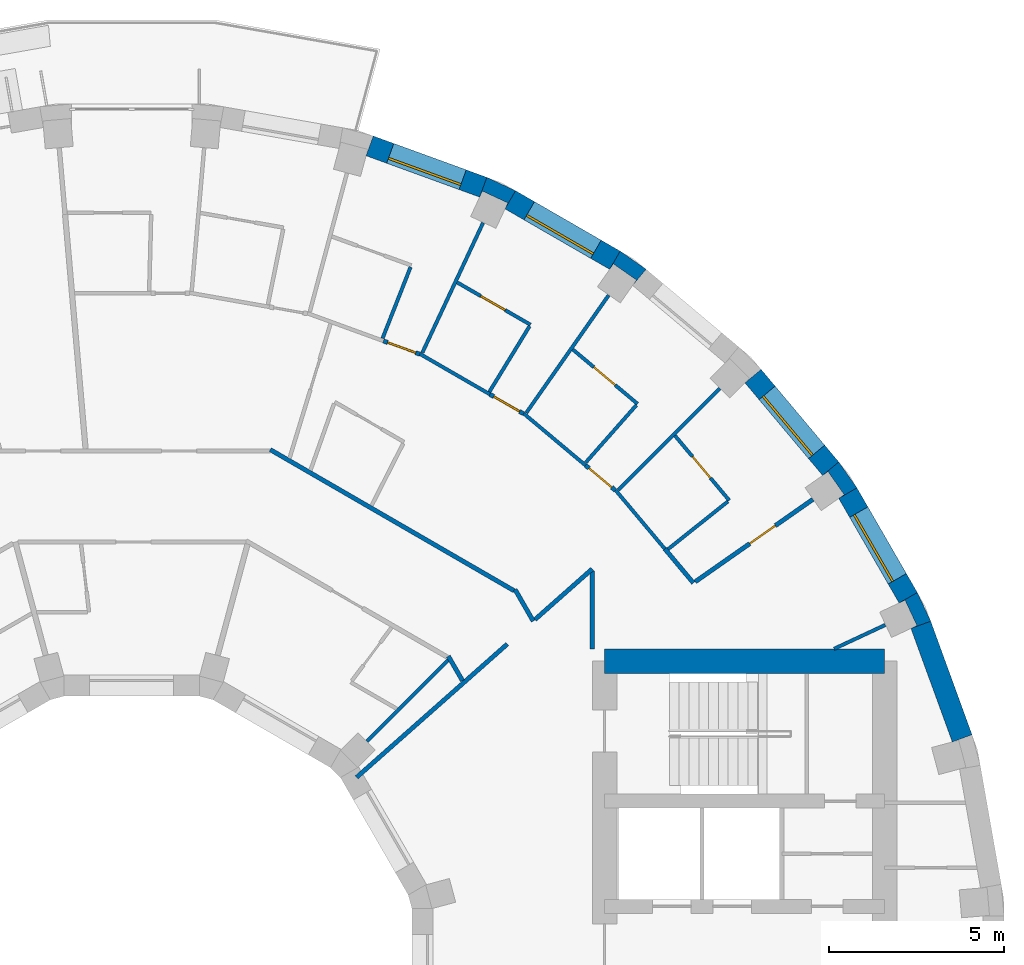
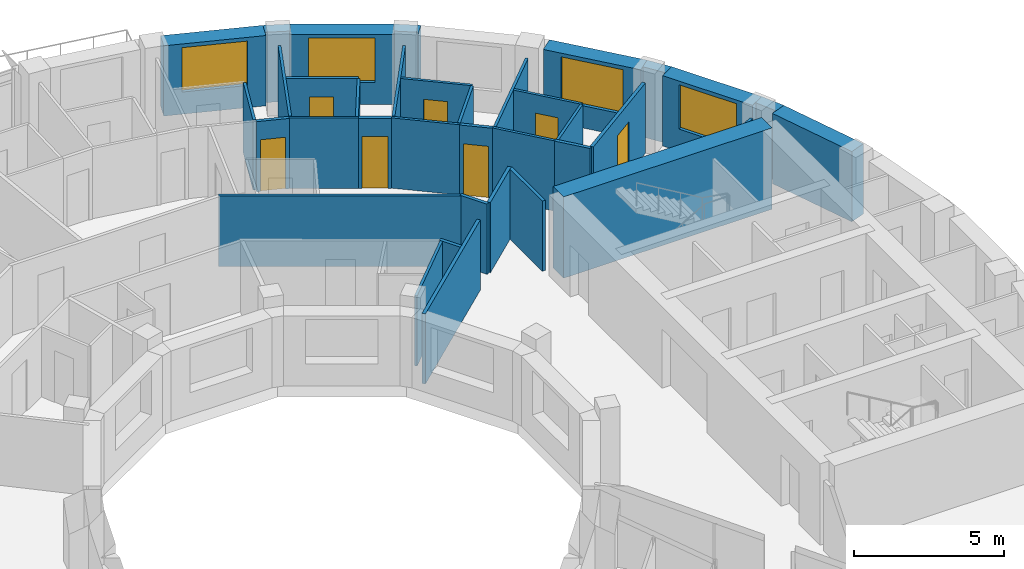
# One storey, part 12 of 14: 36 walls, 7 doors, 4 windows, 11 openings.
"""IFC4 building model written with IfcOpenShell, lengths in metres."""

from ifc_helpers import new_model, si_unit, direction, frame, frame_2d, origin, place, context, subcontext, project, spatial, polyline, rectangle, outline, extrude, material, layer, layer_set, type_object, element, fill, save


model = new_model("IFC4")

# Units and contexts
model_context = context("Model", 3, precision=1e-05, world=origin(), true_north=direction((0.0, 1.0)))
body_context = subcontext(model_context, "Body", "Model", "MODEL_VIEW")
ifc_project = project(units=[si_unit("LENGTHUNIT", "METRE"), si_unit("AREAUNIT", "SQUARE_METRE"), si_unit("VOLUMEUNIT", "CUBIC_METRE"), si_unit("PLANEANGLEUNIT", "RADIAN"), si_unit("MASSUNIT", "GRAM", prefix="KILO")], contexts=[model_context])

# Site, building, storey
site_placement = place(None, origin())
site = spatial("IfcSite", under=ifc_project, at=site_placement, CompositionType="ELEMENT")
building_placement = place(site_placement, origin())
building = spatial("IfcBuilding", under=site, at=building_placement, Name="Saqina Gate Tower", CompositionType="ELEMENT")
storey_placement = place(building_placement, frame((0.0, 0.0, 213.60009765625)))
storey = spatial("IfcBuildingStorey", under=building, at=storey_placement, Name="L61", CompositionType="ELEMENT", Elevation=213.60009765625)

# Walls
ifc_material_1 = material(Name="Brick masonry (buff)", Category="masonry")
wall_type_1 = type_object("IfcWallType", Name="BRICK PIER COPING BUFF", PredefinedType="SOLIDWALL", material=ifc_material_1)
wall_1_placement = place(storey_placement, origin())
element("IfcWall", 1, at=wall_1_placement, inside=storey, type_object=wall_type_1, Name="Pier cap L61 column 3", PredefinedType="SOLIDWALL", context=body_context, shape_type="SweptSolid", body=[
    extrude(outline(polyline([(22.4306640625, 10.958740234375), (21.9111328125, 10.65869140625), (22.080810546875, 10.73779296875), (22.4189453125, 10.0126953125), (22.249267578125, 9.93359375), (22.81298828125, 10.138916015625), (22.4306640625, 10.958740234375)])), origin(), (0.0, 0.0, 1.0), 2.849853515625),
])
wall_2_placement = place(storey_placement, origin())
element("IfcWall", 2, at=wall_2_placement, inside=storey, type_object=wall_type_1, Name="Pier cap L61 column 4", PredefinedType="SOLIDWALL", context=body_context, shape_type="SweptSolid", body=[
    extrude(outline(polyline([(20.705810546875, 13.9462890625), (20.18701171875, 14.687255859375), (19.727294921875, 14.301513671875), (19.880859375, 14.408935546875), (20.339599609375, 13.753662109375), (20.186279296875, 13.646240234375), (20.705810546875, 13.9462890625)])), origin(), (0.0, 0.0, 1.0), 2.849853515625),
])
wall_3_placement = place(storey_placement, origin())
element("IfcWall", 3, at=wall_3_placement, inside=storey, type_object=wall_type_1, Name="Pier cap L61 column 6", PredefinedType="SOLIDWALL", context=body_context, shape_type="SweptSolid", body=[
    extrude(outline(polyline([(14.687255859375, 20.18701171875), (13.9462890625, 20.705810546875), (13.646240234375, 20.186279296875), (13.753662109375, 20.339599609375), (14.408935546875, 19.880859375), (14.301513671875, 19.727294921875), (14.687255859375, 20.18701171875)])), origin(), (0.0, 0.0, 1.0), 2.849853515625),
])
wall_4_placement = place(storey_placement, origin())
element("IfcWall", 4, at=wall_4_placement, inside=storey, type_object=wall_type_1, Name="Pier cap L61 column 7", PredefinedType="SOLIDWALL", context=body_context, shape_type="SweptSolid", body=[
    extrude(outline(polyline([(10.138916015625, 22.81298828125), (9.93359375, 22.249267578125), (10.0126953125, 22.4189453125), (10.73779296875, 22.080810546875), (10.65869140625, 21.9111328125), (10.958740234375, 22.4306640625), (10.138916015625, 22.81298828125)])), origin(), (0.0, 0.0, 1.0), 2.849853515625),
])

# Wall, opening, window
ifc_material_2 = material(Name="Brick masonry (buff)", Category="masonry")
ifc_layer_1 = layer(ifc_material_2, 0.60009765625)
ifc_layer_set_1 = layer_set([ifc_layer_1], Name="FW-BRICK-BUFF")
wall_type_2 = type_object("IfcWallType", Name="FW-BRICK-BUFF", PredefinedType="SOLIDWALL", material=ifc_layer_set_1)
wall_5_placement = place(storey_placement, frame((22.1708984375, 10.80859375, 0.0), z_axis=(0.0, 0.0, 1.0), x_axis=(-0.499998129301, 0.86602648383, 0.0)))
wall_5 = element("IfcWall", 5, at=wall_5_placement, inside=storey, type_object=wall_type_2, Name="Facade wall L61 facet 3", PredefinedType="SOLIDWALL", context=body_context, shape_type="SweptSolid", body=[
    extrude(rectangle(XDim=3.44970703125, YDim=0.60009765625, at=frame_2d((1.724853515625, 0.0))), origin(), (0.0, 0.0, 1.0), 2.849853515625),
])
opening_1_placement = place(wall_5_placement, frame((0.625, 0.0, 0.89990234375)))
opening_1 = element("IfcOpeningElement", 6, at=opening_1_placement, cuts=wall_5, Name="Opening G18-W01", PredefinedType="OPENING", context=body_context, shape_type="SweptSolid", body=[
    extrude(rectangle(XDim=2.199951171875, YDim=1.800048828125, at=frame_2d((1.10009765625, 0.89990234375))), frame((0.0, 0.31201171875, 0.0), z_axis=(0.0, -1.0, 0.0), x_axis=(1.0, 0.0, 0.0)), (0.0, 0.0, 1.0), 0.6240234375),
])
ifc_material_3 = material(Name="Aluminium glazing", Category="aluminium")
window_type = type_object("IfcWindowType", Name="WN-C", PartitioningType="SINGLE_PANEL", PredefinedType="WINDOW", material=ifc_material_3)
window_1_placement = place(opening_1_placement, origin())
window_1 = element("IfcWindow", 7, at=window_1_placement, inside=storey, type_object=window_type, Name="Window L61 facet 3", OverallHeight=1.800048828125, OverallWidth=2.199951171875, PartitioningType="SINGLE_PANEL", PredefinedType="WINDOW", context=body_context, shape_type="SweptSolid", body=[
    extrude(rectangle(XDim=2.199951171875, YDim=1.800048828125, at=frame_2d((1.10009765625, 0.89990234375))), frame((0.0, 0.179931640625, 0.0), z_axis=(0.0, -1.0, 0.0), x_axis=(1.0, 0.0, 0.0)), (0.0, 0.0, 1.0), 0.06005859375),
])
fill(opening_1, window_1)

wall_6_placement = place(storey_placement, frame((19.95703125, 14.494384765625, 0.0), z_axis=(0.0, 0.0, 1.0), x_axis=(-0.642770398358, 0.766058884809, 0.0)))
wall_6 = element("IfcWall", 8, at=wall_6_placement, inside=storey, type_object=wall_type_2, Name="Facade wall L61 facet 4", PredefinedType="SOLIDWALL", context=body_context, shape_type="SweptSolid", body=[
    extrude(rectangle(XDim=3.449462890625, YDim=0.60009765625, at=frame_2d((1.724609375, 0.0))), origin(), (0.0, 0.0, 1.0), 2.849853515625),
])
opening_2_placement = place(wall_6_placement, frame((0.625, 0.0, 0.89990234375)))
opening_2 = element("IfcOpeningElement", 9, at=opening_2_placement, cuts=wall_6, Name="Opening G18-W02", PredefinedType="OPENING", context=body_context, shape_type="SweptSolid", body=[
    extrude(rectangle(XDim=2.199951171875, YDim=1.800048828125, at=frame_2d((1.10009765625, 0.89990234375))), frame((0.0, 0.31201171875, 0.0), z_axis=(0.0, -1.0, 0.0), x_axis=(1.0, 0.0, 0.0)), (0.0, 0.0, 1.0), 0.6240234375),
])
window_2_placement = place(opening_2_placement, origin())
window_2 = element("IfcWindow", 10, at=window_2_placement, inside=storey, type_object=window_type, Name="Window L61 facet 4", OverallHeight=1.800048828125, OverallWidth=2.199951171875, PartitioningType="SINGLE_PANEL", PredefinedType="WINDOW", context=body_context, shape_type="SweptSolid", body=[
    extrude(rectangle(XDim=2.199951171875, YDim=1.800048828125, at=frame_2d((1.10009765625, 0.89990234375))), frame((0.0, 0.179931640625, 0.0), z_axis=(0.0, -1.0, 0.0), x_axis=(1.0, 0.0, 0.0)), (0.0, 0.0, 1.0), 0.06005859375),
])
fill(opening_2, window_2)

wall_7_placement = place(storey_placement, frame((13.796142578125, 20.446044921875, 0.0), z_axis=(0.0, 0.0, 1.0), x_axis=(-0.86602648383, 0.499998129301, 0.0)))
wall_7 = element("IfcWall", 11, at=wall_7_placement, inside=storey, type_object=wall_type_2, Name="Facade wall L61 facet 6", PredefinedType="SOLIDWALL", context=body_context, shape_type="SweptSolid", body=[
    extrude(rectangle(XDim=3.44970703125, YDim=0.60009765625, at=frame_2d((1.724853515625, 0.0))), origin(), (0.0, 0.0, 1.0), 2.849853515625),
])
opening_3_placement = place(wall_7_placement, frame((0.625, 0.0, 0.89990234375)))
opening_3 = element("IfcOpeningElement", 12, at=opening_3_placement, cuts=wall_7, Name="Opening G18-W04", PredefinedType="OPENING", context=body_context, shape_type="SweptSolid", body=[
    extrude(rectangle(XDim=2.199951171875, YDim=1.800048828125, at=frame_2d((1.10009765625, 0.89990234375))), frame((0.0, 0.31201171875, 0.0), z_axis=(0.0, -1.0, 0.0), x_axis=(1.0, 0.0, 0.0)), (0.0, 0.0, 1.0), 0.6240234375),
])
window_3_placement = place(opening_3_placement, origin())
window_3 = element("IfcWindow", 13, at=window_3_placement, inside=storey, type_object=window_type, Name="Window L61 facet 6", OverallHeight=1.800048828125, OverallWidth=2.199951171875, PartitioningType="SINGLE_PANEL", PredefinedType="WINDOW", context=body_context, shape_type="SweptSolid", body=[
    extrude(rectangle(XDim=2.199951171875, YDim=1.800048828125, at=frame_2d((1.10009765625, 0.89990234375))), frame((0.0, 0.179931640625, 0.0), z_axis=(0.0, -1.0, 0.0), x_axis=(1.0, 0.0, 0.0)), (0.0, 0.0, 1.0), 0.06005859375),
])
fill(opening_3, window_3)

wall_8_placement = place(storey_placement, frame((10.0361328125, 22.531005859375, 0.0), z_axis=(0.0, 0.0, 1.0), x_axis=(-0.93968799822, 0.342032843455, 0.0)))
wall_8 = element("IfcWall", 14, at=wall_8_placement, inside=storey, type_object=wall_type_2, Name="Facade wall L61 facet 7", PredefinedType="SOLIDWALL", context=body_context, shape_type="SweptSolid", body=[
    extrude(rectangle(XDim=3.44970703125, YDim=0.60009765625, at=frame_2d((1.724853515625, 0.0))), origin(), (0.0, 0.0, 1.0), 2.849853515625),
])
opening_4_placement = place(wall_8_placement, frame((0.625, 0.0, 0.89990234375)))
opening_4 = element("IfcOpeningElement", 15, at=opening_4_placement, cuts=wall_8, Name="Opening G18-W05", PredefinedType="OPENING", context=body_context, shape_type="SweptSolid", body=[
    extrude(rectangle(XDim=2.199951171875, YDim=1.800048828125, at=frame_2d((1.10009765625, 0.89990234375))), frame((0.0, 0.31201171875, 0.0), z_axis=(0.0, -1.0, 0.0), x_axis=(1.0, 0.0, 0.0)), (0.0, 0.0, 1.0), 0.6240234375),
])
window_4_placement = place(opening_4_placement, origin())
window_4 = element("IfcWindow", 16, at=window_4_placement, inside=storey, type_object=window_type, Name="Window L61 facet 7", OverallHeight=1.800048828125, OverallWidth=2.199951171875, PartitioningType="SINGLE_PANEL", PredefinedType="WINDOW", context=body_context, shape_type="SweptSolid", body=[
    extrude(rectangle(XDim=2.199951171875, YDim=1.800048828125, at=frame_2d((1.10009765625, 0.89990234375))), frame((0.0, 0.179931640625, 0.0), z_axis=(0.0, -1.0, 0.0), x_axis=(1.0, 0.0, 0.0)), (0.0, 0.0, 1.0), 0.06005859375),
])
fill(opening_4, window_4)

# Walls
ifc_material_4 = material(Name="Glazed ceramic tile", Category="ceramic")
ifc_layer_2 = layer(ifc_material_4, 0.60009765625)
ifc_layer_set_2 = layer_set([ifc_layer_2], Name="FW-TILE")
wall_type_3 = type_object("IfcWallType", Name="FW-TILE", PredefinedType="SOLIDWALL", material=ifc_layer_set_2)
wall_9_placement = place(storey_placement, frame((23.7109375, 6.79443359375, 0.0), z_axis=(0.0, 0.0, 1.0), x_axis=(-0.342032843455, 0.93968799822, 0.0)))
element("IfcWall", 17, at=wall_9_placement, inside=storey, type_object=wall_type_3, Name="Facade wall L61 facet 2", PredefinedType="SOLIDWALL", context=body_context, shape_type="SweptSolid", body=[
    extrude(rectangle(XDim=3.44970703125, YDim=0.60009765625, at=frame_2d((1.724853515625, 0.0))), origin(), (0.0, 0.0, 1.0), 2.849853515625),
])
ifc_material_5 = material(Name="Gypsum board on steel studs, 100 mm", Category="steel")
ifc_layer_3 = layer(ifc_material_5, 0.10009765625)
ifc_layer_set_3 = layer_set([ifc_layer_3], Name="PARTITION 100")
wall_type_4 = type_object("IfcWallType", Name="PARTITION 100", PredefinedType="PARTITIONING", material=ifc_layer_set_3)
wall_10_placement = place(storey_placement, frame((13.8115234375, 13.885009765625, 0.0), z_axis=(0.0, 0.0, 1.0), x_axis=(0.642719704672, -0.766101417063, 0.0)))
element("IfcWall", 18, at=wall_10_placement, inside=storey, type_object=wall_type_4, Name="PARTITION PW3-17", PredefinedType="PARTITIONING", context=body_context, shape_type="SweptSolid", body=[
    extrude(rectangle(XDim=2.1943359375, YDim=0.10009765625, at=frame_2d((1.09716796875, 0.0))), origin(), (0.0, 0.0, 1.0), 2.849853515625),
])

# Wall, opening, door
wall_11_placement = place(storey_placement, frame((15.509033203125, 15.438720703125, 0.0), z_axis=(0.0, 0.0, 1.0), x_axis=(0.642786493814, -0.766045379446, 0.0)))
wall_11 = element("IfcWall", 19, at=wall_11_placement, inside=storey, type_object=wall_type_4, Name="PARTITION PW3-18", PredefinedType="PARTITIONING", context=body_context, shape_type="SweptSolid", body=[
    extrude(rectangle(XDim=2.41455078125, YDim=0.10009765625, at=frame_2d((1.207275390625, 0.0))), origin(), (0.0, 0.0, 1.0), 2.849853515625),
])
opening_5_placement = place(wall_11_placement, frame((0.7822265625, 0.0, 0.0)))
opening_5 = element("IfcOpeningElement", 20, at=opening_5_placement, cuts=wall_11, Name="Opening G18-D02", PredefinedType="OPENING", context=body_context, shape_type="SweptSolid", body=[
    extrude(rectangle(XDim=0.800048828125, YDim=2.10009765625, at=frame_2d((0.39990234375, 1.050048828125))), frame((0.0, 0.06201171875, 0.0), z_axis=(0.0, -1.0, 0.0), x_axis=(1.0, 0.0, 0.0)), (0.0, 0.0, 1.0), 0.1240234375),
])
ifc_material_6 = material(Name="Timber door leaf, 800 mm", Category="wood")
door_type_1 = type_object("IfcDoorType", Name="DOOR 800 TIMBER", OperationType="SINGLE_SWING_LEFT", PredefinedType="DOOR", material=ifc_material_6)
door_1_placement = place(opening_5_placement, origin())
door_1 = element("IfcDoor", 21, at=door_1_placement, inside=storey, type_object=door_type_1, Name="DOOR G18-D02", OperationType="SINGLE_SWING_LEFT", OverallHeight=2.10009765625, OverallWidth=0.800048828125, PredefinedType="DOOR", context=body_context, shape_type="SweptSolid", body=[
    extrude(rectangle(XDim=0.800048828125, YDim=2.10009765625, at=frame_2d((0.39990234375, 1.050048828125))), frame((0.0, 0.02490234375, 0.0), z_axis=(0.0, -1.0, 0.0), x_axis=(1.0, 0.0, 0.0)), (0.0, 0.0, 1.0), 0.050048828125),
])
fill(opening_5, door_1)

# Wall
wall_12_placement = place(storey_placement, frame((11.191162109375, 16.070556640625, 0.0), z_axis=(0.0, 0.0, 1.0), x_axis=(0.766099024104, -0.642722556993, 0.0)))
element("IfcWall", 22, at=wall_12_placement, inside=storey, type_object=wall_type_4, Name="PARTITION PW3-23", PredefinedType="PARTITIONING", context=body_context, shape_type="SweptSolid", body=[
    extrude(rectangle(XDim=2.305419921875, YDim=0.10009765625, at=frame_2d((1.15283203125, 0.0))), origin(), (0.0, 0.0, 1.0), 2.849853515625),
])

# Wall, opening, door
wall_13_placement = place(storey_placement, frame((12.59326171875, 17.89794921875, 0.0), z_axis=(0.0, 0.0, 1.0), x_axis=(0.765878189611, -0.642985690882, 0.0)))
wall_13 = element("IfcWall", 23, at=wall_13_placement, inside=storey, type_object=wall_type_4, Name="PARTITION PW3-24", PredefinedType="PARTITIONING", context=body_context, shape_type="SweptSolid", body=[
    extrude(rectangle(XDim=2.413818359375, YDim=0.10009765625, at=frame_2d((1.20703125, 0.0))), origin(), (0.0, 0.0, 1.0), 2.849853515625),
])
opening_6_placement = place(wall_13_placement, frame((0.781982421875, 0.0, 0.0)))
opening_6 = element("IfcOpeningElement", 24, at=opening_6_placement, cuts=wall_13, Name="Opening G18-D04", PredefinedType="OPENING", context=body_context, shape_type="SweptSolid", body=[
    extrude(rectangle(XDim=0.800048828125, YDim=2.10009765625, at=frame_2d((0.39990234375, 1.050048828125))), frame((0.0, 0.06201171875, 0.0), z_axis=(0.0, -1.0, 0.0), x_axis=(1.0, 0.0, 0.0)), (0.0, 0.0, 1.0), 0.1240234375),
])
door_2_placement = place(opening_6_placement, origin())
door_2 = element("IfcDoor", 25, at=door_2_placement, inside=storey, type_object=door_type_1, Name="DOOR G18-D04", OperationType="SINGLE_SWING_LEFT", OverallHeight=2.10009765625, OverallWidth=0.800048828125, PredefinedType="DOOR", context=body_context, shape_type="SweptSolid", body=[
    extrude(rectangle(XDim=0.800048828125, YDim=2.10009765625, at=frame_2d((0.39990234375, 1.050048828125))), frame((0.0, 0.02490234375, 0.0), z_axis=(0.0, -1.0, 0.0), x_axis=(1.0, 0.0, 0.0)), (0.0, 0.0, 1.0), 0.050048828125),
])
fill(opening_6, door_2)

# Wall
wall_14_placement = place(storey_placement, frame((8.23095703125, 17.7705078125, 0.0), z_axis=(0.0, 0.0, 1.0), x_axis=(0.865906868937, -0.5002052522, 0.0)))
element("IfcWall", 26, at=wall_14_placement, inside=storey, type_object=wall_type_4, Name="PARTITION PW3-31", PredefinedType="PARTITIONING", context=body_context, shape_type="SweptSolid", body=[
    extrude(rectangle(XDim=2.30517578125, YDim=0.10009765625, at=frame_2d((1.152587890625, 0.0))), origin(), (0.0, 0.0, 1.0), 2.849853515625),
])

# Wall, opening, door
wall_15_placement = place(storey_placement, frame((9.293212890625, 19.81201171875, 0.0), z_axis=(0.0, 0.0, 1.0), x_axis=(0.866145191815, -0.499792463624, 0.0)))
wall_15 = element("IfcWall", 27, at=wall_15_placement, inside=storey, type_object=wall_type_4, Name="PARTITION PW3-32", PredefinedType="PARTITIONING", context=body_context, shape_type="SweptSolid", body=[
    extrude(rectangle(XDim=2.4150390625, YDim=0.10009765625, at=frame_2d((1.20751953125, 0.0))), origin(), (0.0, 0.0, 1.0), 2.849853515625),
])
opening_7_placement = place(wall_15_placement, frame((0.782470703125, 0.0, 0.0)))
opening_7 = element("IfcOpeningElement", 28, at=opening_7_placement, cuts=wall_15, Name="Opening G18-D08", PredefinedType="OPENING", context=body_context, shape_type="SweptSolid", body=[
    extrude(rectangle(XDim=0.800048828125, YDim=2.10009765625, at=frame_2d((0.39990234375, 1.050048828125))), frame((0.0, 0.06201171875, 0.0), z_axis=(0.0, -1.0, 0.0), x_axis=(1.0, 0.0, 0.0)), (0.0, 0.0, 1.0), 0.1240234375),
])
door_3_placement = place(opening_7_placement, origin())
door_3 = element("IfcDoor", 29, at=door_3_placement, inside=storey, type_object=door_type_1, Name="DOOR G18-D08", OperationType="SINGLE_SWING_LEFT", OverallHeight=2.10009765625, OverallWidth=0.800048828125, PredefinedType="DOOR", context=body_context, shape_type="SweptSolid", body=[
    extrude(rectangle(XDim=0.800048828125, YDim=2.10009765625, at=frame_2d((0.39990234375, 1.050048828125))), frame((0.0, 0.02490234375, 0.0), z_axis=(0.0, -1.0, 0.0), x_axis=(1.0, 0.0, 0.0)), (0.0, 0.0, 1.0), 0.050048828125),
])
fill(opening_7, door_3)

# Walls
wall_16_placement = place(storey_placement, frame((20.052978515625, 9.35009765625, 0.0), z_axis=(0.0, 0.0, 1.0), x_axis=(0.906055596822, 0.423158664648, 0.0)))
element("IfcWall", 30, at=wall_16_placement, inside=storey, type_object=wall_type_4, Name="PARTITION PW3-53", PredefinedType="PARTITIONING", context=body_context, shape_type="SweptSolid", body=[
    extrude(rectangle(XDim=1.6142578125, YDim=0.10009765625, at=frame_2d((0.80712890625, 0.0))), origin(), (0.0, 0.0, 1.0), 2.849853515625),
])
wall_17_placement = place(storey_placement, frame((15.31103515625, 12.195068359375, 0.0), z_axis=(0.0, 0.0, 1.0), x_axis=(0.782195530376, 0.623033026621, 0.0)))
element("IfcWall", 31, at=wall_17_placement, inside=storey, type_object=wall_type_4, Name="PARTITION PW3-62", PredefinedType="PARTITIONING", context=body_context, shape_type="SweptSolid", body=[
    extrude(rectangle(XDim=2.187255859375, YDim=0.10009765625, at=frame_2d((1.09375, 0.0))), origin(), (0.0, 0.0, 1.0), 2.849853515625),
])
wall_18_placement = place(storey_placement, frame((6.7119140625, 6.7119140625, 0.0), z_axis=(0.0, 0.0, 1.0), x_axis=(0.707106781187, 0.707106781187, 0.0)))
element("IfcWall", 32, at=wall_18_placement, inside=storey, type_object=wall_type_4, Name="PARTITION PW3-66", PredefinedType="PARTITIONING", context=body_context, shape_type="SweptSolid", body=[
    extrude(rectangle(XDim=3.2822265625, YDim=0.10009765625, at=frame_2d((1.64111328125, 0.0))), origin(), (0.0, 0.0, 1.0), 2.849853515625),
])
wall_19_placement = place(storey_placement, frame((13.88916015625, 13.88916015625, 0.0), z_axis=(0.0, 0.0, 1.0), x_axis=(0.707106781187, 0.707106781187, 0.0)))
element("IfcWall", 33, at=wall_19_placement, inside=storey, type_object=wall_type_4, Name="PARTITION PW3-67", PredefinedType="PARTITIONING", context=body_context, shape_type="SweptSolid", body=[
    extrude(rectangle(XDim=4.09765625, YDim=0.10009765625, at=frame_2d((2.048828125, 0.0))), origin(), (0.0, 0.0, 1.0), 2.849853515625),
])
wall_20_placement = place(storey_placement, frame((12.96044921875, 14.66796875, 0.0), z_axis=(0.0, 0.0, 1.0), x_axis=(0.661846667472, 0.749639239072, 0.0)))
element("IfcWall", 34, at=wall_20_placement, inside=storey, type_object=wall_type_4, Name="PARTITION PW3-68", PredefinedType="PARTITIONING", context=body_context, shape_type="SweptSolid", body=[
    extrude(rectangle(XDim=2.1884765625, YDim=0.10009765625, at=frame_2d((1.09423828125, 0.0))), origin(), (0.0, 0.0, 1.0), 2.849853515625),
])
wall_21_placement = place(storey_placement, frame((11.265869140625, 16.089111328125, 0.0), z_axis=(0.0, 0.0, 1.0), x_axis=(0.573606249772, 0.819131167898, 0.0)))
element("IfcWall", 35, at=wall_21_placement, inside=storey, type_object=wall_type_4, Name="PARTITION PW3-73", PredefinedType="PARTITIONING", context=body_context, shape_type="SweptSolid", body=[
    extrude(rectangle(XDim=4.098876953125, YDim=0.10009765625, at=frame_2d((2.04931640625, 0.0))), origin(), (0.0, 0.0, 1.0), 2.849853515625),
])
wall_22_placement = place(storey_placement, frame((10.210205078125, 16.685546875, 0.0), z_axis=(0.0, 0.0, 1.0), x_axis=(0.522046798857, 0.852916842256, 0.0)))
element("IfcWall", 36, at=wall_22_placement, inside=storey, type_object=wall_type_4, Name="PARTITION PW3-76", PredefinedType="PARTITIONING", context=body_context, shape_type="SweptSolid", body=[
    extrude(rectangle(XDim=2.200439453125, YDim=0.10009765625, at=frame_2d((1.10009765625, 0.0))), origin(), (0.0, 0.0, 1.0), 2.849853515625),
])
wall_23_placement = place(storey_placement, frame((8.296875, 17.8037109375, 0.0), z_axis=(0.0, 0.0, 1.0), x_axis=(0.423514808753, 0.90588918018, 0.0)))
element("IfcWall", 37, at=wall_23_placement, inside=storey, type_object=wall_type_4, Name="PARTITION PW3-80", PredefinedType="PARTITIONING", context=body_context, shape_type="SweptSolid", body=[
    extrude(rectangle(XDim=4.09814453125, YDim=0.10009765625, at=frame_2d((2.049072265625, 0.0))), origin(), (0.0, 0.0, 1.0), 2.849853515625),
])
wall_24_placement = place(storey_placement, frame((7.161865234375, 18.216064453125, 0.0), z_axis=(0.0, 0.0, 1.0), x_axis=(0.365959579046, 0.930630746593, 0.0)))
element("IfcWall", 38, at=wall_24_placement, inside=storey, type_object=wall_type_4, Name="PARTITION PW3-83", PredefinedType="PARTITIONING", context=body_context, shape_type="SweptSolid", body=[
    extrude(rectangle(XDim=2.188232421875, YDim=0.10009765625, at=frame_2d((1.09423828125, 0.0))), origin(), (0.0, 0.0, 1.0), 2.849853515625),
])
ifc_material_7 = material(Name="Gypsum board on steel studs, 125 mm, fire rated", Category="steel")
ifc_layer_4 = layer(ifc_material_7, 0.125)
ifc_layer_set_4 = layer_set([ifc_layer_4], Name="PARTITION EI 30 125")
wall_type_5 = type_object("IfcWallType", Name="PARTITION EI 30 125", PredefinedType="PARTITIONING", material=ifc_layer_set_4)
wall_25_placement = place(storey_placement, frame((10.945556640625, 11.04443359375, 0.0), z_axis=(0.0, 0.0, 1.0), x_axis=(0.49896979131, -0.866619378597, 0.0)))
element("IfcWall", 39, at=wall_25_placement, inside=storey, type_object=wall_type_5, Name="PARTITION PW1-05", PredefinedType="PARTITIONING", context=body_context, shape_type="SweptSolid", body=[
    extrude(rectangle(XDim=1.039306640625, YDim=0.125, at=frame_2d((0.51953125, 0.0))), origin(), (0.0, 0.0, 1.0), 2.849853515625),
])
wall_26_placement = place(storey_placement, frame((9.041015625, 9.139404296875, 0.0), z_axis=(0.0, 0.0, 1.0), x_axis=(0.500488808838, -0.865743005879, 0.0)))
element("IfcWall", 40, at=wall_26_placement, inside=storey, type_object=wall_type_5, Name="PARTITION PW1-07", PredefinedType="PARTITIONING", context=body_context, shape_type="SweptSolid", body=[
    extrude(rectangle(XDim=0.808837890625, YDim=0.125, at=frame_2d((0.404296875, 0.0))), origin(), (0.0, 0.0, 1.0), 2.849853515625),
])
wall_27_placement = place(storey_placement, frame((15.222412109375, 12.204345703125, 0.0), z_axis=(0.0, 0.0, 1.0), x_axis=(0.641754990355, -0.766909728948, 0.0)))
element("IfcWall", 41, at=wall_27_placement, inside=storey, type_object=wall_type_5, Name="PARTITION PW1-09", PredefinedType="PARTITIONING", context=body_context, shape_type="SweptSolid", body=[
    extrude(rectangle(XDim=1.26806640625, YDim=0.125, at=frame_2d((0.634033203125, 0.0))), origin(), (0.0, 0.0, 1.0), 2.849853515625),
])

# Wall, opening, door
wall_28_placement = place(storey_placement, frame((12.957275390625, 14.5888671875, 0.0), z_axis=(0.0, 0.0, 1.0), x_axis=(0.766464721633, -0.642286408459, 0.0)))
wall_28 = element("IfcWall", 42, at=wall_28_placement, inside=storey, type_object=wall_type_5, Name="PARTITION PW1-16", PredefinedType="PARTITIONING", context=body_context, shape_type="SweptSolid", body=[
    extrude(rectangle(XDim=1.10693359375, YDim=0.125, at=frame_2d((0.553466796875, 0.0))), origin(), (0.0, 0.0, 1.0), 2.849853515625),
])
opening_8_placement = place(wall_28_placement, frame((0.12841796875, 0.0, 0.0)))
opening_8 = element("IfcOpeningElement", 43, at=opening_8_placement, cuts=wall_28, Name="Opening G18-D03", PredefinedType="OPENING", context=body_context, shape_type="SweptSolid", body=[
    extrude(rectangle(XDim=0.85009765625, YDim=2.10009765625, at=frame_2d((0.425048828125, 1.050048828125))), frame((0.0, 0.074462890625, 0.0), z_axis=(0.0, -1.0, 0.0), x_axis=(1.0, 0.0, 0.0)), (0.0, 0.0, 1.0), 0.14892578125),
])
ifc_material_8 = material(Name="Fire door leaf EI 30, 850 mm")
door_type_2 = type_object("IfcDoorType", Name="DOOR 850 EI 30", OperationType="SINGLE_SWING_LEFT", PredefinedType="DOOR", material=ifc_material_8)
door_4_placement = place(opening_8_placement, frame((0.85009765625, 0.0, 0.0), z_axis=(0.0, 0.0, 1.0), x_axis=(-1.0, 0.0, 0.0)))
door_4 = element("IfcDoor", 44, at=door_4_placement, inside=storey, type_object=door_type_2, Name="DOOR G18-D03", OperationType="SINGLE_SWING_LEFT", OverallHeight=2.10009765625, OverallWidth=0.85009765625, PredefinedType="DOOR", context=body_context, shape_type="SweptSolid", body=[
    extrude(rectangle(XDim=0.85009765625, YDim=2.10009765625, at=frame_2d((0.425048828125, 1.050048828125))), frame((0.0, 0.02490234375, 0.0), z_axis=(0.0, -1.0, 0.0), x_axis=(1.0, 0.0, 0.0)), (0.0, 0.0, 1.0), 0.050048828125),
])
fill(opening_8, door_4)

# Wall
wall_29_placement = place(storey_placement, frame((3.95654296875, 15.037353515625, 0.0), z_axis=(0.0, 0.0, 1.0), x_axis=(0.865555702761, -0.500812664994, 0.0)))
element("IfcWall", 45, at=wall_29_placement, inside=storey, type_object=wall_type_5, Name="PARTITION PW1-19", PredefinedType="PARTITIONING", context=body_context, shape_type="SweptSolid", body=[
    extrude(rectangle(XDim=8.048828125, YDim=0.125, at=frame_2d((4.0244140625, 0.0))), origin(), (0.0, 0.0, 1.0), 2.849853515625),
])

# Wall, opening, door
wall_30_placement = place(storey_placement, frame((10.22705078125, 16.617431640625, 0.0), z_axis=(0.0, 0.0, 1.0), x_axis=(0.865888396158, -0.500237229121, 0.0)))
wall_30 = element("IfcWall", 46, at=wall_30_placement, inside=storey, type_object=wall_type_5, Name="PARTITION PW1-22", PredefinedType="PARTITIONING", context=body_context, shape_type="SweptSolid", body=[
    extrude(rectangle(XDim=1.1083984375, YDim=0.125, at=frame_2d((0.55419921875, 0.0))), origin(), (0.0, 0.0, 1.0), 2.849853515625),
])
opening_9_placement = place(wall_30_placement, frame((0.129150390625, 0.0, 0.0)))
opening_9 = element("IfcOpeningElement", 47, at=opening_9_placement, cuts=wall_30, Name="Opening G18-D06", PredefinedType="OPENING", context=body_context, shape_type="SweptSolid", body=[
    extrude(rectangle(XDim=0.85009765625, YDim=2.10009765625, at=frame_2d((0.425048828125, 1.050048828125))), frame((0.0, 0.074462890625, 0.0), z_axis=(0.0, -1.0, 0.0), x_axis=(1.0, 0.0, 0.0)), (0.0, 0.0, 1.0), 0.14892578125),
])
door_5_placement = place(opening_9_placement, frame((0.85009765625, 0.0, 0.0), z_axis=(0.0, 0.0, 1.0), x_axis=(-1.0, 0.0, 0.0)))
door_5 = element("IfcDoor", 48, at=door_5_placement, inside=storey, type_object=door_type_2, Name="DOOR G18-D06", OperationType="SINGLE_SWING_LEFT", OverallHeight=2.10009765625, OverallWidth=0.85009765625, PredefinedType="DOOR", context=body_context, shape_type="SweptSolid", body=[
    extrude(rectangle(XDim=0.85009765625, YDim=2.10009765625, at=frame_2d((0.425048828125, 1.050048828125))), frame((0.0, 0.02490234375, 0.0), z_axis=(0.0, -1.0, 0.0), x_axis=(1.0, 0.0, 0.0)), (0.0, 0.0, 1.0), 0.050048828125),
])
fill(opening_9, door_5)

wall_31_placement = place(storey_placement, frame((7.18603515625, 18.140869140625, 0.0), z_axis=(0.0, 0.0, 1.0), x_axis=(0.939793423488, -0.341743063087, 0.0)))
wall_31 = element("IfcWall", 49, at=wall_31_placement, inside=storey, type_object=wall_type_5, Name="PARTITION PW1-24", PredefinedType="PARTITIONING", context=body_context, shape_type="SweptSolid", body=[
    extrude(rectangle(XDim=1.108642578125, YDim=0.125, at=frame_2d((0.55419921875, 0.0))), origin(), (0.0, 0.0, 1.0), 2.849853515625),
])
opening_10_placement = place(wall_31_placement, frame((0.12939453125, 0.0, 0.0)))
opening_10 = element("IfcOpeningElement", 50, at=opening_10_placement, cuts=wall_31, Name="Opening G18-D10", PredefinedType="OPENING", context=body_context, shape_type="SweptSolid", body=[
    extrude(rectangle(XDim=0.85009765625, YDim=2.10009765625, at=frame_2d((0.425048828125, 1.050048828125))), frame((0.0, 0.074462890625, 0.0), z_axis=(0.0, -1.0, 0.0), x_axis=(1.0, 0.0, 0.0)), (0.0, 0.0, 1.0), 0.14892578125),
])
door_6_placement = place(opening_10_placement, frame((0.85009765625, 0.0, 0.0), z_axis=(0.0, 0.0, 1.0), x_axis=(-1.0, 0.0, 0.0)))
door_6 = element("IfcDoor", 51, at=door_6_placement, inside=storey, type_object=door_type_2, Name="DOOR G18-D10", OperationType="SINGLE_SWING_LEFT", OverallHeight=2.10009765625, OverallWidth=0.85009765625, PredefinedType="DOOR", context=body_context, shape_type="SweptSolid", body=[
    extrude(rectangle(XDim=0.85009765625, YDim=2.10009765625, at=frame_2d((0.425048828125, 1.050048828125))), frame((0.0, 0.02490234375, 0.0), z_axis=(0.0, -1.0, 0.0), x_axis=(1.0, 0.0, 0.0)), (0.0, 0.0, 1.0), 0.050048828125),
])
fill(opening_10, door_6)

wall_32_placement = place(storey_placement, frame((16.089111328125, 11.265869140625, 0.0), z_axis=(0.0, 0.0, 1.0), x_axis=(0.819131167898, 0.573606249772, 0.0)))
wall_32 = element("IfcWall", 52, at=wall_32_placement, inside=storey, type_object=wall_type_5, Name="PARTITION PW1-40", PredefinedType="PARTITIONING", context=body_context, shape_type="SweptSolid", body=[
    extrude(rectangle(XDim=4.098876953125, YDim=0.125, at=frame_2d((2.04931640625, 0.0))), origin(), (0.0, 0.0, 1.0), 2.849853515625),
])
opening_11_placement = place(wall_32_placement, frame((1.8974609375, 0.0, 0.0)))
opening_11 = element("IfcOpeningElement", 53, at=opening_11_placement, cuts=wall_32, Name="Opening G18-D01", PredefinedType="OPENING", context=body_context, shape_type="SweptSolid", body=[
    extrude(rectangle(XDim=0.89990234375, YDim=2.10009765625, at=frame_2d((0.449951171875, 1.050048828125))), frame((0.0, 0.074462890625, 0.0), z_axis=(0.0, -1.0, 0.0), x_axis=(1.0, 0.0, 0.0)), (0.0, 0.0, 1.0), 0.14892578125),
])
ifc_material_9 = material(Name="Fire door leaf EI 30, 900 mm")
door_type_3 = type_object("IfcDoorType", Name="DOOR 900 EI 30", OperationType="SINGLE_SWING_LEFT", PredefinedType="DOOR", material=ifc_material_9)
door_7_placement = place(opening_11_placement, frame((0.89990234375, 0.0, 0.0), z_axis=(0.0, 0.0, 1.0), x_axis=(-1.0, 0.0, 0.0)))
door_7 = element("IfcDoor", 54, at=door_7_placement, inside=storey, type_object=door_type_3, Name="DOOR G18-D01", OperationType="SINGLE_SWING_LEFT", OverallHeight=2.10009765625, OverallWidth=0.89990234375, PredefinedType="DOOR", context=body_context, shape_type="SweptSolid", body=[
    extrude(rectangle(XDim=0.89990234375, YDim=2.10009765625, at=frame_2d((0.449951171875, 1.050048828125))), frame((0.0, 0.02490234375, 0.0), z_axis=(0.0, -1.0, 0.0), x_axis=(1.0, 0.0, 0.0)), (0.0, 0.0, 1.0), 0.050048828125),
])
fill(opening_11, door_7)

# Walls
wall_33_placement = place(storey_placement, frame((6.419921875, 5.679931640625, 0.0), z_axis=(0.0, 0.0, 1.0), x_axis=(0.74898196967, 0.662590378068, 0.0)))
element("IfcWall", 55, at=wall_33_placement, inside=storey, type_object=wall_type_5, Name="PARTITION PW1-44", PredefinedType="PARTITIONING", context=body_context, shape_type="SweptSolid", body=[
    extrude(rectangle(XDim=5.748046875, YDim=0.125, at=frame_2d((2.8740234375, 0.0))), origin(), (0.0, 0.0, 1.0), 2.849853515625),
])
wall_34_placement = place(storey_placement, frame((11.51171875, 10.184326171875, 0.0), z_axis=(0.0, 0.0, 1.0), x_axis=(0.748998696572, 0.662571469755, 0.0)))
element("IfcWall", 56, at=wall_34_placement, inside=storey, type_object=wall_type_5, Name="PARTITION PW1-45", PredefinedType="PARTITIONING", context=body_context, shape_type="SweptSolid", body=[
    extrude(rectangle(XDim=2.18359375, YDim=0.125, at=frame_2d((1.091796875, 0.0))), origin(), (0.0, 0.0, 1.0), 2.849853515625),
])
wall_35_placement = place(storey_placement, frame((13.14990234375, 9.35107421875, 0.0), z_axis=(0.0, 0.0, 1.0), x_axis=(0.0, 1.0, 0.0)))
element("IfcWall", 57, at=wall_35_placement, inside=storey, type_object=wall_type_5, Name="PARTITION PW1-51", PredefinedType="PARTITIONING", context=body_context, shape_type="SweptSolid", body=[
    extrude(rectangle(XDim=2.21630859375, YDim=0.125, at=frame_2d((1.108154296875, 0.0))), origin(), (0.0, 0.0, 1.0), 2.849853515625),
])
ifc_material_10 = material(Name="Concrete C60/75", Category="concrete")
ifc_layer_5 = layer(ifc_material_10, 0.699951171875)
ifc_layer_set_5 = layer_set([ifc_layer_5], Name="Concrete C60/75")
wall_type_6 = type_object("IfcWallType", Name="STR-CORE WALL-C-O", PredefinedType="SHEAR", material=ifc_layer_set_5)
wall_36_placement = place(storey_placement, frame((13.5, 9.0, 0.0), z_axis=(0.0, 0.0, 1.0), x_axis=(1.0, 0.0, 0.0)))
element("IfcWall", 58, at=wall_36_placement, inside=storey, type_object=wall_type_6, Name="CORE WALL L61 E-NE", PredefinedType="SHEAR", context=body_context, shape_type="SweptSolid", body=[
    extrude(rectangle(XDim=8.0, YDim=0.699951171875, at=frame_2d((4.0, 0.0))), origin(), (0.0, 0.0, 1.0), 3.2998046875),
])

save(model, "model.ifc")
